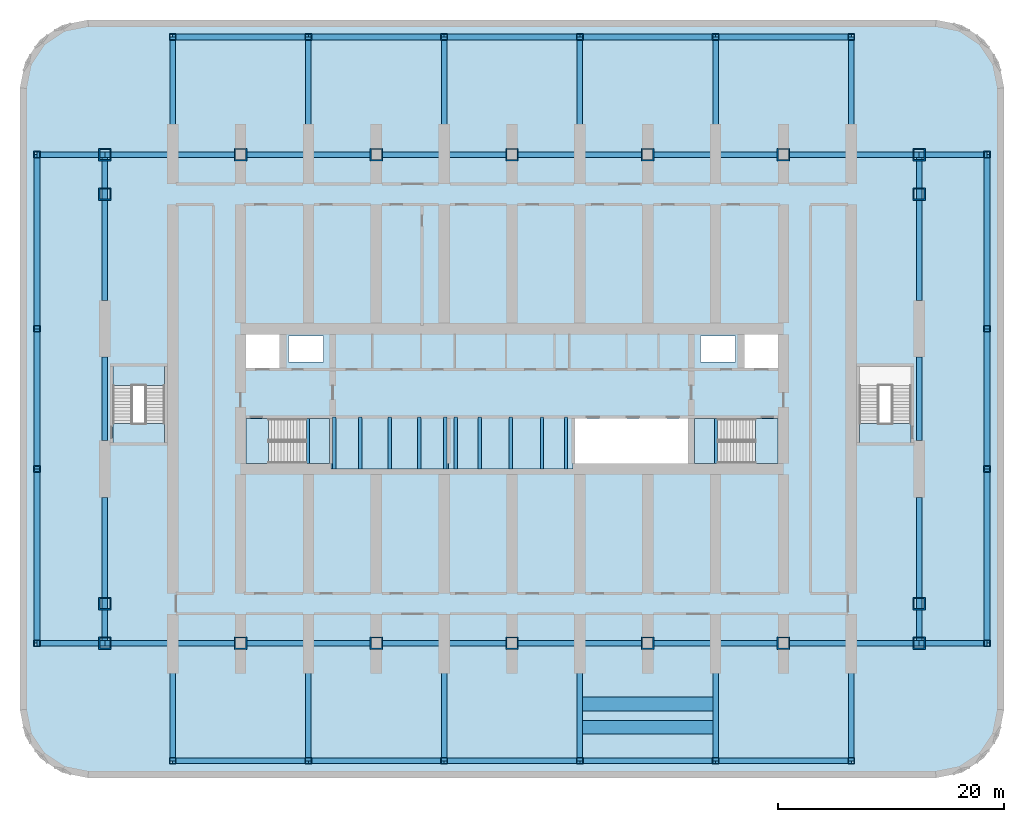
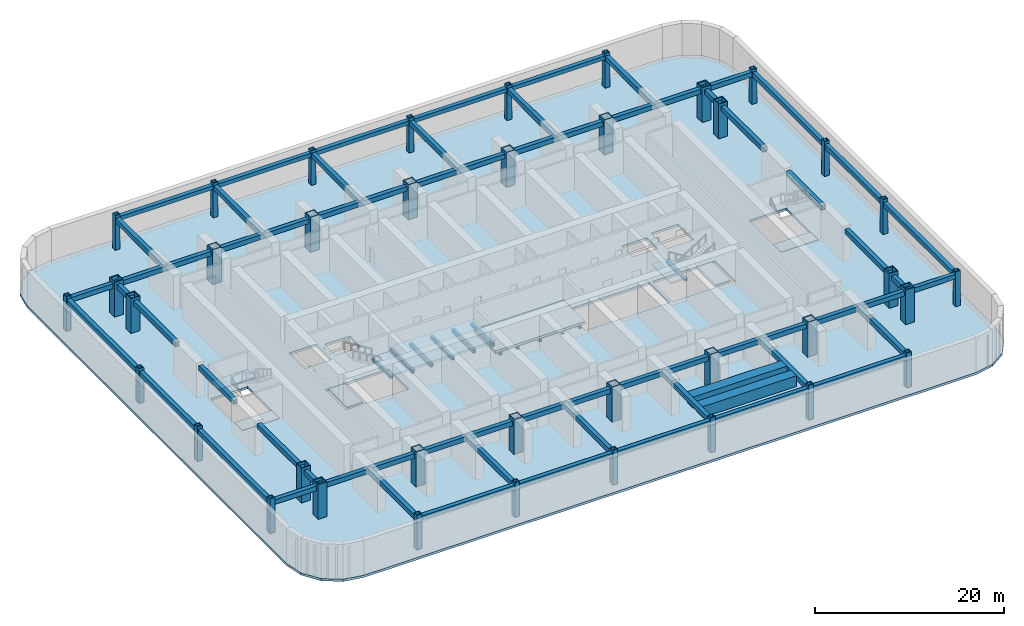
# One storey, part 1 of 16: 64 beams, 38 columns, 10 slabs, 4 elements without a shape of their own.
"""IFC4 building model written with IfcOpenShell, lengths in metres."""

from ifc_helpers import new_model, si_unit, direction, frame, origin, origin_2d, place, context, subcontext, project, spatial, polyline, rectangle, hollow_rectangle, outline, extrude, material, layer, layer_set, material_profile, profile_set, type_object, element, aggregate, save


model = new_model("IFC4")

# Units and contexts
model_context = context("Model", 3, precision=1e-05, world=origin(), true_north=direction((0.0, 1.0)))
body_context = subcontext(model_context, "Body", "Model", "MODEL_VIEW")
ifc_project = project(units=[si_unit("LENGTHUNIT", "METRE"), si_unit("AREAUNIT", "SQUARE_METRE"), si_unit("VOLUMEUNIT", "CUBIC_METRE"), si_unit("PLANEANGLEUNIT", "RADIAN"), si_unit("MASSUNIT", "GRAM", prefix="KILO")], contexts=[model_context])

# Site, building, storey
site_placement = place(None, origin())
site = spatial("IfcSite", under=ifc_project, at=site_placement, CompositionType="ELEMENT")
building_placement = place(site_placement, origin())
building = spatial("IfcBuilding", under=site, at=building_placement, Name="Orbita Commons", CompositionType="ELEMENT")
storey_placement = place(building_placement, frame((0.0, 0.0, -4.5)))
storey = spatial("IfcBuildingStorey", under=building, at=storey_placement, Name="L-01", CompositionType="ELEMENT", Elevation=-4.5)

# Columns
ifc_material_1 = material(Name="Steel ASTM A572 Gr 42 welded plate", Category="steel")
ifc_material_profile_1 = material_profile(ifc_material_1, hollow_rectangle(XDim=1.10009765625, YDim=1.10009765625, WallThickness=0.110107421875, at=origin_2d()), Name="BOX 1100x1100x110")
ifc_profile_set_1 = profile_set([ifc_material_profile_1], Name="Steel ASTM A572 Gr 42 welded plate")
column_type_1 = type_object("IfcColumnType", Name="Steel column BOX 1100x1100x110", PredefinedType="COLUMN", material=ifc_profile_set_1)
for number, where, z_axis, x_axis, name in (
    (1, (6.0, 10.39990234375, 0.0), (0.0, 0.0, 1.0), (1.0, 0.0, 0.0), "Column 2/B L-01"),
    (2, (6.0, 53.60009765625, 0.0), (0.0, 0.0, 1.0), (1.0, 0.0, 0.0), "Column 2/E L-01"),
    (3, (18.0, 10.39990234375, 0.0), (0.0, 0.0, 1.0), (1.0, 0.0, 0.0), "Column 4/B L-01"),
    (4, (18.0, 53.60009765625, 0.0), (0.0, 0.0, 1.0), (1.0, 0.0, 0.0), "Column 4/E L-01"),
    (5, (30.0, 10.39990234375, 0.0), (0.0, 0.0, 1.0), (1.0, 0.0, 0.0), "Column 6/B L-01"),
    (6, (30.0, 53.60009765625, 0.0), (0.0, 0.0, 1.0), (1.0, 0.0, 0.0), "Column 6/E L-01"),
    (7, (42.0, 10.39990234375, 0.0), (0.0, 0.0, 1.0), (1.0, 0.0, 0.0), "Column 8/B L-01"),
    (8, (42.0, 53.60009765625, 0.0), (0.0, 0.0, 1.0), (1.0, 0.0, 0.0), "Column 8/E L-01"),
    (9, (54.0, 10.39990234375, 0.0), (0.0, 0.0, 1.0), (1.0, 0.0, 0.0), "Column 10/B L-01"),
    (10, (54.0, 53.60009765625, 0.0), (0.0, 0.0, 1.0), (1.0, 0.0, 0.0), "Column 10/E L-01"),
    (11, (66.0, 10.39990234375, 0.0), (0.0, 0.0, 1.0), (1.0, 0.0, 0.0), "Column 12/B L-01"),
    (12, (66.0, 53.60009765625, 0.0), (0.0, 0.0, 1.0), (1.0, 0.0, 0.0), "Column 12/E L-01"),
    (13, (78.0, 10.39990234375, 0.0), (0.0, 0.0, 1.0), (1.0, 0.0, 0.0), "Column 14/B L-01"),
    (14, (78.0, 53.60009765625, 0.0), (0.0, 0.0, 1.0), (1.0, 0.0, 0.0), "Column 14/E L-01"),
    (15, (6.0, 13.89990234375, 0.0), (0.0, 0.0, 1.0), (1.0, 0.0, 0.0), "Column 2/13.9 L-01"),
    (16, (6.0, 50.10009765625, 0.0), (0.0, 0.0, 1.0), (1.0, 0.0, 0.0), "Column 2/50.1 L-01"),
    (17, (78.0, 13.89990234375, 0.0), (0.0, 0.0, 1.0), (1.0, 0.0, 0.0), "Column 14/13.9 L-01"),
    (18, (78.0, 50.10009765625, 0.0), (0.0, 0.0, 1.0), (1.0, 0.0, 0.0), "Column 14/50.1 L-01"),
):
    element("IfcColumn", number, at=place(storey_placement, frame(where, z_axis=z_axis, x_axis=x_axis)), inside=storey, type_object=column_type_1, Name=name, PredefinedType="COLUMN", context=body_context, shape_type="SweptSolid", body=[
        extrude(hollow_rectangle(XDim=1.10009765625, YDim=1.10009765625, WallThickness=0.110107421875, at=origin_2d()), origin(), (0.0, 0.0, 1.0), 4.5),
    ])
ifc_material_2 = material(Name="Steel ASTM A572 Gr 50 welded plate", Category="steel")
ifc_material_profile_2 = material_profile(ifc_material_2, hollow_rectangle(XDim=0.60009765625, YDim=0.60009765625, WallThickness=0.06005859375, at=origin_2d()), Name="BOX 600x600x60")
ifc_profile_set_2 = profile_set([ifc_material_profile_2], Name="Steel ASTM A572 Gr 50 welded plate")
column_type_2 = type_object("IfcColumnType", Name="Steel column BOX 600x600x60", PredefinedType="COLUMN", material=ifc_profile_set_2)
for number, where, z_axis, x_axis, name in (
    (19, (12.0, 0.0, 0.0), (0.0, 0.0, 1.0), (1.0, 0.0, 0.0), "Column 3/A L-01"),
    (20, (12.0, 64.0, 0.0), (0.0, 0.0, 1.0), (1.0, 0.0, 0.0), "Column 3/F L-01"),
    (21, (24.0, 0.0, 0.0), (0.0, 0.0, 1.0), (1.0, 0.0, 0.0), "Column 5/A L-01"),
    (22, (24.0, 64.0, 0.0), (0.0, 0.0, 1.0), (1.0, 0.0, 0.0), "Column 5/F L-01"),
    (23, (36.0, 0.0, 0.0), (0.0, 0.0, 1.0), (1.0, 0.0, 0.0), "Column 7/A L-01"),
    (24, (36.0, 64.0, 0.0), (0.0, 0.0, 1.0), (1.0, 0.0, 0.0), "Column 7/F L-01"),
    (25, (48.0, 0.0, 0.0), (0.0, 0.0, 1.0), (1.0, 0.0, 0.0), "Column 9/A L-01"),
    (26, (48.0, 64.0, 0.0), (0.0, 0.0, 1.0), (1.0, 0.0, 0.0), "Column 9/F L-01"),
    (27, (60.0, 0.0, 0.0), (0.0, 0.0, 1.0), (1.0, 0.0, 0.0), "Column 11/A L-01"),
    (28, (60.0, 64.0, 0.0), (0.0, 0.0, 1.0), (1.0, 0.0, 0.0), "Column 11/F L-01"),
    (29, (72.0, 0.0, 0.0), (0.0, 0.0, 1.0), (1.0, 0.0, 0.0), "Column 13/A L-01"),
    (30, (72.0, 64.0, 0.0), (0.0, 0.0, 1.0), (1.0, 0.0, 0.0), "Column 13/F L-01"),
    (31, (0.0, 10.39990234375, 0.0), (0.0, 0.0, 1.0), (1.0, 0.0, 0.0), "Column 1/B L-01"),
    (32, (0.0, 25.800048828125, 0.0), (0.0, 0.0, 1.0), (1.0, 0.0, 0.0), "Column 1/C L-01"),
    (33, (0.0, 38.199951171875, 0.0), (0.0, 0.0, 1.0), (1.0, 0.0, 0.0), "Column 1/D L-01"),
    (34, (0.0, 53.60009765625, 0.0), (0.0, 0.0, 1.0), (1.0, 0.0, 0.0), "Column 1/E L-01"),
    (35, (84.0, 10.39990234375, 0.0), (0.0, 0.0, 1.0), (1.0, 0.0, 0.0), "Column 15/B L-01"),
    (36, (84.0, 25.800048828125, 0.0), (0.0, 0.0, 1.0), (1.0, 0.0, 0.0), "Column 15/C L-01"),
    (37, (84.0, 38.199951171875, 0.0), (0.0, 0.0, 1.0), (1.0, 0.0, 0.0), "Column 15/D L-01"),
    (38, (84.0, 53.60009765625, 0.0), (0.0, 0.0, 1.0), (1.0, 0.0, 0.0), "Column 15/E L-01"),
):
    element("IfcColumn", number, at=place(storey_placement, frame(where, z_axis=z_axis, x_axis=x_axis)), inside=storey, type_object=column_type_2, Name=name, PredefinedType="COLUMN", context=body_context, shape_type="SweptSolid", body=[
        extrude(hollow_rectangle(XDim=0.60009765625, YDim=0.60009765625, WallThickness=0.06005859375, at=origin_2d()), origin(), (0.0, 0.0, 1.0), 4.5),
    ])

# Beams
ifc_material_3 = material(Name="Steel ASTM A572 Gr 50 welded plate", Category="steel")
ifc_material_profile_3 = material_profile(ifc_material_3, hollow_rectangle(XDim=0.300048828125, YDim=0.39990234375, WallThickness=0.0400390625, at=origin_2d()), Name="BOX 400x300x40")
ifc_profile_set_3 = profile_set([ifc_material_profile_3], Name="Steel ASTM A572 Gr 50 welded plate")
beam_type_1 = type_object("IfcBeamType", Name="Lift pit beam steel BOX 400x300x40", PredefinedType="BEAM", material=ifc_profile_set_3)
for number, where, z_axis, x_axis, name in (
    (39, (26.300048828125, 25.800048828125, 2.199951171875), (0.0, 1.0, 0.0), (-1.0, 0.0, 0.0), "Lift pit slab bank P1 beam 1"),
    (40, (28.60009765625, 25.800048828125, 2.199951171875), (0.0, 1.0, 0.0), (-1.0, 0.0, 0.0), "Lift pit slab bank P1 beam 2"),
    (41, (31.199951171875, 25.800048828125, 2.199951171875), (0.0, 1.0, 0.0), (-1.0, 0.0, 0.0), "Lift pit slab bank P1 beam 3"),
    (42, (33.800048828125, 25.800048828125, 2.199951171875), (0.0, 1.0, 0.0), (-1.0, 0.0, 0.0), "Lift pit slab bank P1 beam 4"),
    (43, (36.10009765625, 25.800048828125, 2.199951171875), (0.0, 1.0, 0.0), (-1.0, 0.0, 0.0), "Lift pit slab bank P1 beam 5"),
    (44, (37.02490234375, 25.800048828125, 0.800048828125), (0.0, 1.0, 0.0), (-1.0, 0.0, 0.0), "Lift pit slab bank SH1 to SH3 beam 1"),
    (45, (39.14990234375, 25.800048828125, 0.800048828125), (0.0, 1.0, 0.0), (-1.0, 0.0, 0.0), "Lift pit slab bank SH1 to SH3 beam 2"),
    (46, (41.89990234375, 25.800048828125, 0.800048828125), (0.0, 1.0, 0.0), (-1.0, 0.0, 0.0), "Lift pit slab bank SH1 to SH3 beam 3"),
    (47, (44.64990234375, 25.800048828125, 0.800048828125), (0.0, 1.0, 0.0), (-1.0, 0.0, 0.0), "Lift pit slab bank SH1 to SH3 beam 4"),
    (48, (46.77490234375, 25.800048828125, 0.800048828125), (0.0, 1.0, 0.0), (-1.0, 0.0, 0.0), "Lift pit slab bank SH1 to SH3 beam 5"),
):
    element("IfcBeam", number, at=place(storey_placement, frame(where, z_axis=z_axis, x_axis=x_axis)), inside=storey, type_object=beam_type_1, Name=name, PredefinedType="BEAM", context=body_context, shape_type="SweptSolid", body=[
        extrude(hollow_rectangle(XDim=0.300048828125, YDim=0.39990234375, WallThickness=0.0400390625, at=origin_2d()), origin(), (0.0, 0.0, 1.0), 4.599853515625),
    ])
ifc_material_4 = material(Name="Steel ASTM A572 Gr 50 welded plate", Category="steel")
ifc_material_profile_4 = material_profile(ifc_material_4, hollow_rectangle(XDim=0.300048828125, YDim=0.25, WallThickness=0.02490234375, at=origin_2d()), Name="BOX 250x300x25")
ifc_profile_set_4 = profile_set([ifc_material_profile_4], Name="Steel ASTM A572 Gr 50 welded plate")
beam_type_2 = type_object("IfcBeamType", Name="Stair landing beam steel BOX 250x300x25", PredefinedType="BEAM", material=ifc_profile_set_4)
for number, where, z_axis, x_axis, name in (
    (49, (23.9599609375, 26.284912109375, 1.925048828125), (0.0, 1.0, 0.0), (-1.0, 0.0, 0.0), "Stair S1 landing beam L-01 1"),
    (50, (60.0400390625, 26.284912109375, 1.925048828125), (0.0, 1.0, 0.0), (-1.0, 0.0, 0.0), "Stair S2 landing beam L-01 1"),
):
    element("IfcBeam", number, at=place(storey_placement, frame(where, z_axis=z_axis, x_axis=x_axis)), inside=storey, type_object=beam_type_2, Name=name, PredefinedType="BEAM", context=body_context, shape_type="SweptSolid", body=[
        extrude(hollow_rectangle(XDim=0.300048828125, YDim=0.25, WallThickness=0.02490234375, at=origin_2d()), origin(), (0.0, 0.0, 1.0), 3.97998046875),
    ])
ifc_material_5 = material(Name="Concrete C40/50", Category="concrete")
ifc_material_profile_5 = material_profile(ifc_material_5, rectangle(XDim=1.199951171875, YDim=1.39990234375, at=origin_2d()), Name="RC 1200x1400")
ifc_profile_set_5 = profile_set([ifc_material_profile_5], Name="Concrete C40/50")
beam_type_3 = type_object("IfcBeamType", Name="Stair transfer beam RC 1200x1400", PredefinedType="BEAM", material=ifc_profile_set_5)
for number, where, z_axis, x_axis, name in (
    (51, (48.25, 2.97509765625, 3.449951171875), (1.0, 0.0, 0.0), (0.0, 1.0, 0.0), "Grand stair L00 to L01 transfer beam 1"),
    (52, (48.25, 5.02490234375, 3.449951171875), (1.0, 0.0, 0.0), (0.0, 1.0, 0.0), "Grand stair L00 to L01 transfer beam 2"),
):
    element("IfcBeam", number, at=place(storey_placement, frame(where, z_axis=z_axis, x_axis=x_axis)), inside=storey, type_object=beam_type_3, Name=name, PredefinedType="BEAM", context=body_context, shape_type="SweptSolid", body=[
        extrude(rectangle(XDim=1.199951171875, YDim=1.39990234375, at=origin_2d()), origin(), (0.0, 0.0, 1.0), 11.5),
    ])
ifc_material_6 = material(Name="Steel ASTM A572 Gr 50 welded plate", Category="steel")
ifc_material_profile_6 = material_profile(ifc_material_6, hollow_rectangle(XDim=0.5, YDim=0.5, WallThickness=0.050048828125, at=origin_2d()), Name="BOX 500x500x50")
ifc_profile_set_6 = profile_set([ifc_material_profile_6], Name="Steel ASTM A572 Gr 50 welded plate")
beam_type_4 = type_object("IfcBeamType", Name="Steel edge beam BOX 500x500x50", PredefinedType="SPANDREL", material=ifc_profile_set_6)
for number, where, z_axis, x_axis, name in (
    (53, (12.0, 0.0, 3.89990234375), (1.0, 0.0, 0.0), (0.0, 1.0, 0.0), "Edge beam A 3-5 L-01"),
    (54, (24.0, 0.0, 3.89990234375), (1.0, 0.0, 0.0), (0.0, 1.0, 0.0), "Edge beam A 5-7 L-01"),
    (55, (36.0, 0.0, 3.89990234375), (1.0, 0.0, 0.0), (0.0, 1.0, 0.0), "Edge beam A 7-9 L-01"),
    (56, (48.0, 0.0, 3.89990234375), (1.0, 0.0, 0.0), (0.0, 1.0, 0.0), "Edge beam A 9-11 L-01"),
    (57, (60.0, 0.0, 3.89990234375), (1.0, 0.0, 0.0), (0.0, 1.0, 0.0), "Edge beam A 11-13 L-01"),
    (58, (12.0, 64.0, 3.89990234375), (1.0, 0.0, 0.0), (0.0, 1.0, 0.0), "Edge beam F 3-5 L-01"),
    (59, (24.0, 64.0, 3.89990234375), (1.0, 0.0, 0.0), (0.0, 1.0, 0.0), "Edge beam F 5-7 L-01"),
    (60, (36.0, 64.0, 3.89990234375), (1.0, 0.0, 0.0), (0.0, 1.0, 0.0), "Edge beam F 7-9 L-01"),
    (61, (48.0, 64.0, 3.89990234375), (1.0, 0.0, 0.0), (0.0, 1.0, 0.0), "Edge beam F 9-11 L-01"),
    (62, (60.0, 64.0, 3.89990234375), (1.0, 0.0, 0.0), (0.0, 1.0, 0.0), "Edge beam F 11-13 L-01"),
):
    element("IfcBeam", number, at=place(storey_placement, frame(where, z_axis=z_axis, x_axis=x_axis)), inside=storey, type_object=beam_type_4, Name=name, PredefinedType="SPANDREL", context=body_context, shape_type="SweptSolid", body=[
        extrude(hollow_rectangle(XDim=0.5, YDim=0.5, WallThickness=0.050048828125, at=origin_2d()), origin(), (0.0, 0.0, 1.0), 12.0),
    ])
ifc_material_7 = material(Name="Steel ASTM A572 Gr 50 welded plate", Category="steel")
ifc_material_profile_7 = material_profile(ifc_material_7, hollow_rectangle(XDim=0.5, YDim=0.60009765625, WallThickness=0.050048828125, at=origin_2d()), Name="BOX 600x500x50")
ifc_profile_set_7 = profile_set([ifc_material_profile_7], Name="Steel ASTM A572 Gr 50 welded plate")
beam_type_5 = type_object("IfcBeamType", Name="Steel podium beam BOX 600x500x50", PredefinedType="BEAM", material=ifc_profile_set_7)
beam_1_placement = place(storey_placement, frame((0.0, 10.39990234375, 3.85009765625), z_axis=(1.0, 0.0, 0.0), x_axis=(0.0, 1.0, 0.0)))
element("IfcBeam", 63, at=beam_1_placement, inside=storey, type_object=beam_type_5, Name="Podium beam B 1-2 L-01", PredefinedType="BEAM", context=body_context, shape_type="SweptSolid", body=[
    extrude(hollow_rectangle(XDim=0.5, YDim=0.60009765625, WallThickness=0.050048828125, at=origin_2d()), origin(), (0.0, 0.0, 1.0), 6.0),
])
for number, where, z_axis, x_axis, name in (
    (64, (6.0, 10.39990234375, 3.85009765625), (1.0, 0.0, 0.0), (0.0, 1.0, 0.0), "Podium beam B 2-4 L-01"),
    (65, (18.0, 10.39990234375, 3.85009765625), (1.0, 0.0, 0.0), (0.0, 1.0, 0.0), "Podium beam B 4-6 L-01"),
    (66, (30.0, 10.39990234375, 3.85009765625), (1.0, 0.0, 0.0), (0.0, 1.0, 0.0), "Podium beam B 6-8 L-01"),
    (67, (42.0, 10.39990234375, 3.85009765625), (1.0, 0.0, 0.0), (0.0, 1.0, 0.0), "Podium beam B 8-10 L-01"),
    (68, (54.0, 10.39990234375, 3.85009765625), (1.0, 0.0, 0.0), (0.0, 1.0, 0.0), "Podium beam B 10-12 L-01"),
    (69, (66.0, 10.39990234375, 3.85009765625), (1.0, 0.0, 0.0), (0.0, 1.0, 0.0), "Podium beam B 12-14 L-01"),
):
    element("IfcBeam", number, at=place(storey_placement, frame(where, z_axis=z_axis, x_axis=x_axis)), inside=storey, type_object=beam_type_5, Name=name, PredefinedType="BEAM", context=body_context, shape_type="SweptSolid", body=[
        extrude(hollow_rectangle(XDim=0.5, YDim=0.60009765625, WallThickness=0.050048828125, at=origin_2d()), origin(), (0.0, 0.0, 1.0), 12.0),
    ])
for number, where, z_axis, x_axis, name in (
    (70, (78.0, 10.39990234375, 3.85009765625), (1.0, 0.0, 0.0), (0.0, 1.0, 0.0), "Podium beam B 14-15 L-01"),
    (71, (0.0, 53.60009765625, 3.85009765625), (1.0, 0.0, 0.0), (0.0, 1.0, 0.0), "Podium beam E 1-2 L-01"),
):
    element("IfcBeam", number, at=place(storey_placement, frame(where, z_axis=z_axis, x_axis=x_axis)), inside=storey, type_object=beam_type_5, Name=name, PredefinedType="BEAM", context=body_context, shape_type="SweptSolid", body=[
        extrude(hollow_rectangle(XDim=0.5, YDim=0.60009765625, WallThickness=0.050048828125, at=origin_2d()), origin(), (0.0, 0.0, 1.0), 6.0),
    ])
for number, where, z_axis, x_axis, name in (
    (72, (6.0, 53.60009765625, 3.85009765625), (1.0, 0.0, 0.0), (0.0, 1.0, 0.0), "Podium beam E 2-4 L-01"),
    (73, (18.0, 53.60009765625, 3.85009765625), (1.0, 0.0, 0.0), (0.0, 1.0, 0.0), "Podium beam E 4-6 L-01"),
    (74, (30.0, 53.60009765625, 3.85009765625), (1.0, 0.0, 0.0), (0.0, 1.0, 0.0), "Podium beam E 6-8 L-01"),
    (75, (42.0, 53.60009765625, 3.85009765625), (1.0, 0.0, 0.0), (0.0, 1.0, 0.0), "Podium beam E 8-10 L-01"),
    (76, (54.0, 53.60009765625, 3.85009765625), (1.0, 0.0, 0.0), (0.0, 1.0, 0.0), "Podium beam E 10-12 L-01"),
    (77, (66.0, 53.60009765625, 3.85009765625), (1.0, 0.0, 0.0), (0.0, 1.0, 0.0), "Podium beam E 12-14 L-01"),
):
    element("IfcBeam", number, at=place(storey_placement, frame(where, z_axis=z_axis, x_axis=x_axis)), inside=storey, type_object=beam_type_5, Name=name, PredefinedType="BEAM", context=body_context, shape_type="SweptSolid", body=[
        extrude(hollow_rectangle(XDim=0.5, YDim=0.60009765625, WallThickness=0.050048828125, at=origin_2d()), origin(), (0.0, 0.0, 1.0), 12.0),
    ])
beam_2_placement = place(storey_placement, frame((78.0, 53.60009765625, 3.85009765625), z_axis=(1.0, 0.0, 0.0), x_axis=(0.0, 1.0, 0.0)))
element("IfcBeam", 78, at=beam_2_placement, inside=storey, type_object=beam_type_5, Name="Podium beam E 14-15 L-01", PredefinedType="BEAM", context=body_context, shape_type="SweptSolid", body=[
    extrude(hollow_rectangle(XDim=0.5, YDim=0.60009765625, WallThickness=0.050048828125, at=origin_2d()), origin(), (0.0, 0.0, 1.0), 6.0),
])
for number, where, z_axis, x_axis, name in (
    (79, (12.0, 0.0, 3.85009765625), (0.0, 1.0, 0.0), (-1.0, 0.0, 0.0), "Podium beam 3 A-B L-01"),
    (80, (12.0, 53.60009765625, 3.85009765625), (0.0, 1.0, 0.0), (-1.0, 0.0, 0.0), "Podium beam 3 E-F L-01"),
    (81, (24.0, 0.0, 3.85009765625), (0.0, 1.0, 0.0), (-1.0, 0.0, 0.0), "Podium beam 5 A-B L-01"),
    (82, (24.0, 53.60009765625, 3.85009765625), (0.0, 1.0, 0.0), (-1.0, 0.0, 0.0), "Podium beam 5 E-F L-01"),
    (83, (36.0, 0.0, 3.85009765625), (0.0, 1.0, 0.0), (-1.0, 0.0, 0.0), "Podium beam 7 A-B L-01"),
    (84, (36.0, 53.60009765625, 3.85009765625), (0.0, 1.0, 0.0), (-1.0, 0.0, 0.0), "Podium beam 7 E-F L-01"),
    (85, (48.0, 0.0, 3.85009765625), (0.0, 1.0, 0.0), (-1.0, 0.0, 0.0), "Podium beam 9 A-B L-01"),
    (86, (48.0, 53.60009765625, 3.85009765625), (0.0, 1.0, 0.0), (-1.0, 0.0, 0.0), "Podium beam 9 E-F L-01"),
    (87, (60.0, 0.0, 3.85009765625), (0.0, 1.0, 0.0), (-1.0, 0.0, 0.0), "Podium beam 11 A-B L-01"),
    (88, (60.0, 53.60009765625, 3.85009765625), (0.0, 1.0, 0.0), (-1.0, 0.0, 0.0), "Podium beam 11 E-F L-01"),
    (89, (72.0, 0.0, 3.85009765625), (0.0, 1.0, 0.0), (-1.0, 0.0, 0.0), "Podium beam 13 A-B L-01"),
    (90, (72.0, 53.60009765625, 3.85009765625), (0.0, 1.0, 0.0), (-1.0, 0.0, 0.0), "Podium beam 13 E-F L-01"),
):
    element("IfcBeam", number, at=place(storey_placement, frame(where, z_axis=z_axis, x_axis=x_axis)), inside=storey, type_object=beam_type_5, Name=name, PredefinedType="BEAM", context=body_context, shape_type="SweptSolid", body=[
        extrude(hollow_rectangle(XDim=0.5, YDim=0.60009765625, WallThickness=0.050048828125, at=origin_2d()), origin(), (0.0, 0.0, 1.0), 10.39990234375),
    ])
beam_3_placement = place(storey_placement, frame((0.0, 10.39990234375, 3.85009765625), z_axis=(0.0, 1.0, 0.0), x_axis=(-1.0, 0.0, 0.0)))
element("IfcBeam", 91, at=beam_3_placement, inside=storey, type_object=beam_type_5, Name="Podium beam 1 B-C L-01", PredefinedType="BEAM", context=body_context, shape_type="SweptSolid", body=[
    extrude(hollow_rectangle(XDim=0.5, YDim=0.60009765625, WallThickness=0.050048828125, at=origin_2d()), origin(), (0.0, 0.0, 1.0), 15.400146484375),
])
beam_4_placement = place(storey_placement, frame((0.0, 25.800048828125, 3.85009765625), z_axis=(0.0, 1.0, 0.0), x_axis=(-1.0, 0.0, 0.0)))
element("IfcBeam", 92, at=beam_4_placement, inside=storey, type_object=beam_type_5, Name="Podium beam 1 C-D L-01", PredefinedType="BEAM", context=body_context, shape_type="SweptSolid", body=[
    extrude(hollow_rectangle(XDim=0.5, YDim=0.60009765625, WallThickness=0.050048828125, at=origin_2d()), origin(), (0.0, 0.0, 1.0), 12.39990234375),
])
for number, where, z_axis, x_axis, name in (
    (93, (0.0, 38.199951171875, 3.85009765625), (0.0, 1.0, 0.0), (-1.0, 0.0, 0.0), "Podium beam 1 D-E L-01"),
    (94, (84.0, 10.39990234375, 3.85009765625), (0.0, 1.0, 0.0), (-1.0, 0.0, 0.0), "Podium beam 15 B-C L-01"),
):
    element("IfcBeam", number, at=place(storey_placement, frame(where, z_axis=z_axis, x_axis=x_axis)), inside=storey, type_object=beam_type_5, Name=name, PredefinedType="BEAM", context=body_context, shape_type="SweptSolid", body=[
        extrude(hollow_rectangle(XDim=0.5, YDim=0.60009765625, WallThickness=0.050048828125, at=origin_2d()), origin(), (0.0, 0.0, 1.0), 15.400146484375),
    ])
beam_5_placement = place(storey_placement, frame((84.0, 25.800048828125, 3.85009765625), z_axis=(0.0, 1.0, 0.0), x_axis=(-1.0, 0.0, 0.0)))
element("IfcBeam", 95, at=beam_5_placement, inside=storey, type_object=beam_type_5, Name="Podium beam 15 C-D L-01", PredefinedType="BEAM", context=body_context, shape_type="SweptSolid", body=[
    extrude(hollow_rectangle(XDim=0.5, YDim=0.60009765625, WallThickness=0.050048828125, at=origin_2d()), origin(), (0.0, 0.0, 1.0), 12.39990234375),
])
beam_6_placement = place(storey_placement, frame((84.0, 38.199951171875, 3.85009765625), z_axis=(0.0, 1.0, 0.0), x_axis=(-1.0, 0.0, 0.0)))
element("IfcBeam", 96, at=beam_6_placement, inside=storey, type_object=beam_type_5, Name="Podium beam 15 D-E L-01", PredefinedType="BEAM", context=body_context, shape_type="SweptSolid", body=[
    extrude(hollow_rectangle(XDim=0.5, YDim=0.60009765625, WallThickness=0.050048828125, at=origin_2d()), origin(), (0.0, 0.0, 1.0), 15.400146484375),
])
beam_7_placement = place(storey_placement, frame((6.0, 10.39990234375, 3.85009765625), z_axis=(0.0, 1.0, 0.0), x_axis=(-1.0, 0.0, 0.0)))
element("IfcBeam", 97, at=beam_7_placement, inside=storey, type_object=beam_type_5, Name="Podium beam 2 B-C L-01", PredefinedType="BEAM", context=body_context, shape_type="SweptSolid", body=[
    extrude(hollow_rectangle(XDim=0.5, YDim=0.60009765625, WallThickness=0.050048828125, at=origin_2d()), origin(), (0.0, 0.0, 1.0), 12.900146484375),
])
beam_8_placement = place(storey_placement, frame((6.0, 28.300048828125, 3.85009765625), z_axis=(0.0, 1.0, 0.0), x_axis=(-1.0, 0.0, 0.0)))
element("IfcBeam", 98, at=beam_8_placement, inside=storey, type_object=beam_type_5, Name="Podium beam 2 C-D L-01", PredefinedType="BEAM", context=body_context, shape_type="SweptSolid", body=[
    extrude(hollow_rectangle(XDim=0.5, YDim=0.60009765625, WallThickness=0.050048828125, at=origin_2d()), origin(), (0.0, 0.0, 1.0), 7.39990234375),
])
for number, where, z_axis, x_axis, name in (
    (99, (6.0, 40.699951171875, 3.85009765625), (0.0, 1.0, 0.0), (-1.0, 0.0, 0.0), "Podium beam 2 D-E L-01"),
    (100, (78.0, 10.39990234375, 3.85009765625), (0.0, 1.0, 0.0), (-1.0, 0.0, 0.0), "Podium beam 14 B-C L-01"),
):
    element("IfcBeam", number, at=place(storey_placement, frame(where, z_axis=z_axis, x_axis=x_axis)), inside=storey, type_object=beam_type_5, Name=name, PredefinedType="BEAM", context=body_context, shape_type="SweptSolid", body=[
        extrude(hollow_rectangle(XDim=0.5, YDim=0.60009765625, WallThickness=0.050048828125, at=origin_2d()), origin(), (0.0, 0.0, 1.0), 12.900146484375),
    ])
beam_9_placement = place(storey_placement, frame((78.0, 28.300048828125, 3.85009765625), z_axis=(0.0, 1.0, 0.0), x_axis=(-1.0, 0.0, 0.0)))
element("IfcBeam", 101, at=beam_9_placement, inside=storey, type_object=beam_type_5, Name="Podium beam 14 C-D L-01", PredefinedType="BEAM", context=body_context, shape_type="SweptSolid", body=[
    extrude(hollow_rectangle(XDim=0.5, YDim=0.60009765625, WallThickness=0.050048828125, at=origin_2d()), origin(), (0.0, 0.0, 1.0), 7.39990234375),
])
beam_10_placement = place(storey_placement, frame((78.0, 40.699951171875, 3.85009765625), z_axis=(0.0, 1.0, 0.0), x_axis=(-1.0, 0.0, 0.0)))
element("IfcBeam", 102, at=beam_10_placement, inside=storey, type_object=beam_type_5, Name="Podium beam 14 D-E L-01", PredefinedType="BEAM", context=body_context, shape_type="SweptSolid", body=[
    extrude(hollow_rectangle(XDim=0.5, YDim=0.60009765625, WallThickness=0.050048828125, at=origin_2d()), origin(), (0.0, 0.0, 1.0), 12.900146484375),
])

# Slabs
ifc_material_8 = material(Name="Concrete C40/50", Category="concrete")
ifc_layer_1 = layer(ifc_material_8, 0.300048828125)
ifc_layer_set_1 = layer_set([ifc_layer_1], Name="Concrete C40/50")
slab_type_1 = type_object("IfcSlabType", Name="Floor slab 300", PredefinedType="FLOOR", material=ifc_layer_set_1)
slab_1_placement = place(storey_placement, frame((0.0, 0.0, -0.300048828125)))
element("IfcSlab", 103, at=slab_1_placement, inside=storey, type_object=slab_type_1, Name="Floor slab L-01", PredefinedType="FLOOR", context=body_context, shape_type="SweptSolid", body=[
    extrude(outline(polyline([(79.5, -1.5), (81.796142578125, -1.043212890625), (83.74267578125, 0.25732421875), (85.043212890625, 2.203857421875), (85.5, 4.5), (85.5, 59.5), (85.043212890625, 61.796142578125), (83.74267578125, 63.74267578125), (81.796142578125, 65.043212890625), (79.5, 65.5), (4.5, 65.5), (2.203857421875, 65.043212890625), (0.25732421875, 63.74267578125), (-1.043212890625, 61.796142578125), (-1.5, 59.5), (-1.5, 4.5), (-1.043212890625, 2.203857421875), (0.25732421875, 0.25732421875), (2.203857421875, -1.043212890625), (4.5, -1.5), (79.5, -1.5)]), holes=[polyline([(18.14990234375, 25.949951171875), (25.85009765625, 25.949951171875), (25.85009765625, 30.25), (18.14990234375, 30.25), (18.14990234375, 25.949951171875)]), polyline([(58.14990234375, 25.949951171875), (65.85009765625, 25.949951171875), (65.85009765625, 30.25), (58.14990234375, 30.25), (58.14990234375, 25.949951171875)]), polyline([(18.14990234375, 34.75), (21.449951171875, 34.75), (21.449951171875, 38.050048828125), (18.14990234375, 38.050048828125), (18.14990234375, 34.75)]), polyline([(62.550048828125, 34.75), (65.85009765625, 34.75), (65.85009765625, 38.050048828125), (62.550048828125, 38.050048828125), (62.550048828125, 34.75)]), polyline([(22.25, 35.25), (25.35009765625, 35.25), (25.35009765625, 37.550048828125), (22.25, 37.550048828125), (22.25, 35.25)]), polyline([(58.64990234375, 35.25), (61.75, 35.25), (61.75, 37.550048828125), (58.64990234375, 37.550048828125), (58.64990234375, 35.25)]), polyline([(47.550048828125, 25.949951171875), (57.85009765625, 25.949951171875), (57.85009765625, 30.25), (47.550048828125, 30.25), (47.550048828125, 25.949951171875)]), polyline([(11.2900390625, 28.110107421875), (6.7099609375, 28.110107421875), (6.7099609375, 29.820068359375), (6.72509765625, 29.820068359375), (6.72509765625, 30.320068359375), (6.72509765625, 34.875), (11.27490234375, 34.875), (11.27490234375, 30.320068359375), (11.27490234375, 29.820068359375), (11.2900390625, 29.820068359375), (11.2900390625, 28.110107421875)]), polyline([(77.2900390625, 28.110107421875), (72.7099609375, 28.110107421875), (72.7099609375, 29.820068359375), (72.72509765625, 29.820068359375), (72.72509765625, 30.320068359375), (72.72509765625, 34.875), (77.27490234375, 34.875), (77.27490234375, 30.320068359375), (77.27490234375, 29.820068359375), (77.2900390625, 29.820068359375), (77.2900390625, 28.110107421875)])]), origin(), (0.0, 0.0, 1.0), 0.300048828125),
])
ifc_material_9 = material(Name="Concrete C40/50", Category="concrete")
ifc_layer_2 = layer(ifc_material_9, 0.300048828125)
ifc_layer_set_2 = layer_set([ifc_layer_2], Name="Concrete C40/50")
slab_type_2 = type_object("IfcSlabType", Name="Lift pit slab 300", PredefinedType="FLOOR", material=ifc_layer_set_2)
slab_2_placement = place(storey_placement, frame((0.0, 0.0, 2.39990234375)))
element("IfcSlab", 104, at=slab_2_placement, inside=storey, type_object=slab_type_2, Name="Lift pit slab bank P1", PredefinedType="FLOOR", context=body_context, shape_type="SweptSolid", body=[
    extrude(outline(polyline([(26.0, 25.800048828125), (36.39990234375, 25.800048828125), (36.39990234375, 30.39990234375), (26.0, 30.39990234375), (26.0, 25.800048828125)])), origin(), (0.0, 0.0, 1.0), 0.300048828125),
])
slab_3_placement = place(storey_placement, frame((0.0, 0.0, 1.0)))
element("IfcSlab", 105, at=slab_3_placement, inside=storey, type_object=slab_type_2, Name="Lift pit slab bank SH1 to SH3", PredefinedType="FLOOR", context=body_context, shape_type="SweptSolid", body=[
    extrude(outline(polyline([(36.39990234375, 25.800048828125), (47.39990234375, 25.800048828125), (47.39990234375, 30.39990234375), (36.39990234375, 30.39990234375), (36.39990234375, 25.800048828125)])), origin(), (0.0, 0.0, 1.0), 0.300048828125),
])

# Stair, slabs
ifc_material_10 = material(Name="Precast concrete C40/50", Category="concrete")
stair_type_1 = type_object("IfcStairType", Name="Exit stair S1 2 flights 13 risers 173", PredefinedType="HALF_TURN_STAIR", material=ifc_material_10)
stair_1_placement = place(storey_placement, origin())
stair_1 = element("IfcStair", 106, at=stair_1_placement, inside=storey, type_object=stair_type_1, Name="Exit stair S1 L-01", PredefinedType="HALF_TURN_STAIR")
ifc_material_11 = material(Name="Concrete C40/50", Category="concrete")
ifc_layer_3 = layer(ifc_material_11, 0.199951171875)
ifc_layer_set_3 = layer_set([ifc_layer_3], Name="Concrete C40/50")
slab_type_3 = type_object("IfcSlabType", Name="Stair landing 200", PredefinedType="LANDING", material=ifc_layer_set_3)
slab_4_placement = place(storey_placement, frame((0.0, 0.0, -0.199951171875)))
slab_4 = element("IfcSlab", 107, at=slab_4_placement, type_object=slab_type_3, Name="S1 landing 1", PredefinedType="LANDING", context=body_context, shape_type="SweptSolid", body=[
    extrude(outline(polyline([(18.5, 26.300048828125), (20.449951171875, 26.300048828125), (20.449951171875, 30.25), (18.5, 30.25), (18.5, 26.300048828125)])), origin(), (0.0, 0.0, 1.0), 0.199951171875),
])
slab_5_placement = place(storey_placement, frame((0.0, 0.0, 2.050048828125)))
slab_5 = element("IfcSlab", 108, at=slab_5_placement, type_object=slab_type_3, Name="S1 landing 2", PredefinedType="LANDING", context=body_context, shape_type="SweptSolid", body=[
    extrude(outline(polyline([(23.81005859375, 26.284912109375), (25.864990234375, 26.284912109375), (25.864990234375, 30.264892578125), (23.81005859375, 30.264892578125), (23.81005859375, 26.284912109375)])), origin(), (0.0, 0.0, 1.0), 0.199951171875),
])
aggregate(stair_1, [slab_4, slab_5])

ifc_material_12 = material(Name="Precast concrete C40/50", Category="concrete")
stair_type_2 = type_object("IfcStairType", Name="Exit stair S2 2 flights 13 risers 173", PredefinedType="HALF_TURN_STAIR", material=ifc_material_12)
stair_2_placement = place(storey_placement, origin())
stair_2 = element("IfcStair", 109, at=stair_2_placement, inside=storey, type_object=stair_type_2, Name="Exit stair S2 L-01", PredefinedType="HALF_TURN_STAIR")
slab_6_placement = place(storey_placement, frame((0.0, 0.0, -0.199951171875)))
slab_6 = element("IfcSlab", 110, at=slab_6_placement, type_object=slab_type_3, Name="S2 landing 1", PredefinedType="LANDING", context=body_context, shape_type="SweptSolid", body=[
    extrude(outline(polyline([(63.550048828125, 26.300048828125), (65.5, 26.300048828125), (65.5, 30.25), (63.550048828125, 30.25), (63.550048828125, 26.300048828125)])), origin(), (0.0, 0.0, 1.0), 0.199951171875),
])
slab_7_placement = place(storey_placement, frame((0.0, 0.0, 2.050048828125)))
slab_7 = element("IfcSlab", 111, at=slab_7_placement, type_object=slab_type_3, Name="S2 landing 2", PredefinedType="LANDING", context=body_context, shape_type="SweptSolid", body=[
    extrude(outline(polyline([(58.135009765625, 26.284912109375), (60.18994140625, 26.284912109375), (60.18994140625, 30.264892578125), (58.135009765625, 30.264892578125), (58.135009765625, 26.284912109375)])), origin(), (0.0, 0.0, 1.0), 0.199951171875),
])
aggregate(stair_2, [slab_6, slab_7])

ifc_material_13 = material(Name="Precast concrete C40/50", Category="concrete")
stair_type_3 = type_object("IfcStairType", Name="Podium exit stair 2 flights 13 risers 173", PredefinedType="HALF_TURN_STAIR", material=ifc_material_13)
stair_3_placement = place(storey_placement, origin())
stair_3 = element("IfcStair", 112, at=stair_3_placement, inside=storey, type_object=stair_type_3, Name="Podium exit stair PS1 L-01", PredefinedType="HALF_TURN_STAIR")
slab_8_placement = place(storey_placement, frame((0.0, 0.0, -0.199951171875)))
slab_8 = element("IfcSlab", 113, at=slab_8_placement, type_object=slab_type_3, Name="PS1 landing 1", PredefinedType="LANDING", context=body_context, shape_type="SweptSolid", body=[
    extrude(outline(polyline([(6.7099609375, 28.110107421875), (11.2900390625, 28.110107421875), (11.2900390625, 29.820068359375), (6.7099609375, 29.820068359375), (6.7099609375, 28.110107421875)])), origin(), (0.0, 0.0, 1.0), 0.199951171875),
])
slab_9_placement = place(storey_placement, frame((0.0, 0.0, 2.050048828125)))
slab_9 = element("IfcSlab", 114, at=slab_9_placement, type_object=slab_type_3, Name="PS1 landing 2", PredefinedType="LANDING", context=body_context, shape_type="SweptSolid", body=[
    extrude(outline(polyline([(6.7099609375, 33.179931640625), (11.2900390625, 33.179931640625), (11.2900390625, 34.889892578125), (6.7099609375, 34.889892578125), (6.7099609375, 33.179931640625)])), origin(), (0.0, 0.0, 1.0), 0.199951171875),
])
aggregate(stair_3, [slab_8, slab_9])

# Stair, slab
stair_4_placement = place(storey_placement, origin())
stair_4 = element("IfcStair", 115, at=stair_4_placement, inside=storey, type_object=stair_type_3, Name="Podium exit stair PS2 L-01", PredefinedType="HALF_TURN_STAIR")
slab_10_placement = place(storey_placement, frame((0.0, 0.0, -0.199951171875)))
slab_10 = element("IfcSlab", 116, at=slab_10_placement, type_object=slab_type_3, Name="PS2 landing 1", PredefinedType="LANDING", context=body_context, shape_type="SweptSolid", body=[
    extrude(outline(polyline([(72.7099609375, 28.110107421875), (77.2900390625, 28.110107421875), (77.2900390625, 29.820068359375), (72.7099609375, 29.820068359375), (72.7099609375, 28.110107421875)])), origin(), (0.0, 0.0, 1.0), 0.199951171875),
])
aggregate(stair_4, [slab_10])

save(model, "model.ifc")
